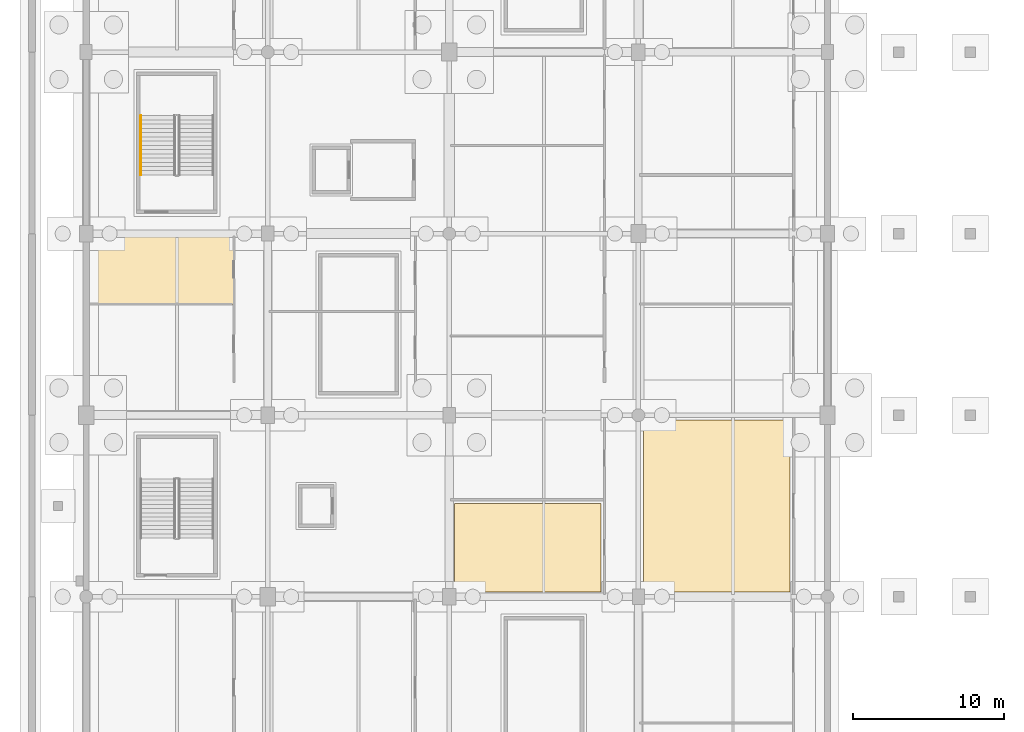
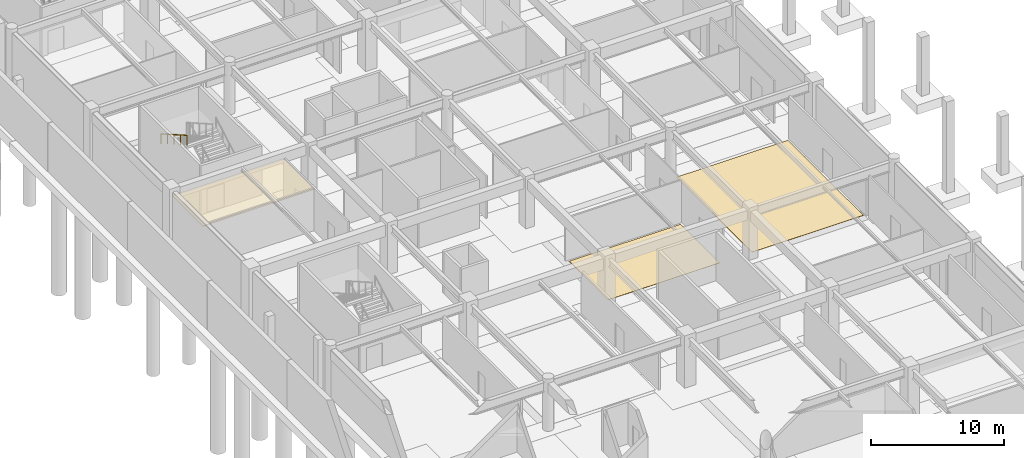
# One storey, part 48 of 56: 3 coverings, 1 railing.
"""IFC4 building model written with IfcOpenShell, lengths in metres."""

from ifc_helpers import new_model, si_unit, direction, frame, origin, origin_2d, place, context, subcontext, project, spatial, polyline, circle, outline, extrude, material, layer, layer_set, type_object, element, save


model = new_model("IFC4")

# Units and contexts
model_context = context("Model", 3, precision=1e-05, world=origin(), true_north=direction((0.0, 1.0)))
body_context = subcontext(model_context, "Body", "Model", "MODEL_VIEW")
ifc_project = project(units=[si_unit("LENGTHUNIT", "METRE"), si_unit("AREAUNIT", "SQUARE_METRE"), si_unit("VOLUMEUNIT", "CUBIC_METRE"), si_unit("PLANEANGLEUNIT", "RADIAN"), si_unit("MASSUNIT", "GRAM", prefix="KILO")], contexts=[model_context])

# Site, building, storey
site_placement = place(None, origin())
site = spatial("IfcSite", under=ifc_project, at=site_placement, CompositionType="ELEMENT")
building_placement = place(site_placement, origin())
building = spatial("IfcBuilding", under=site, at=building_placement, Name="Kazenohara Klinker Stadium", CompositionType="ELEMENT")
storey_placement = place(building_placement, frame((0.0, 0.0, -4.800048828125)))
storey = spatial("IfcBuildingStorey", under=building, at=storey_placement, Name="B01", CompositionType="ELEMENT", Elevation=-4.800048828125)

# Coverings
ifc_material_1 = material(Name="Slatted Hokkaido cedar acoustic baffle ceiling", Category="wood")
ifc_layer_1 = layer(ifc_material_1, 0.0400390625)
ifc_layer_set_1 = layer_set([ifc_layer_1], Name="Slatted Hokkaido cedar acoustic baffle ceiling")
covering_type_1 = type_object("IfcCoveringType", Name="COV-CEIL-02", PredefinedType="CEILING", material=ifc_layer_set_1)
covering_1_placement = place(storey_placement, frame((0.0, 0.0, 3.739990234375)))
element("IfcCovering", 1, at=covering_1_placement, inside=storey, type_object=covering_type_1, Name="Suspended acoustic ceiling CL02 Match Officials Dressing Room B01-0008B", PredefinedType="CEILING", context=body_context, shape_type="SweptSolid", body=[
    extrude(outline(polyline([(0.06005859375, 103.303466796875), (9.7900390625, 103.303466796875), (9.7900390625, 107.9599609375), (0.06005859375, 107.9599609375), (0.06005859375, 103.303466796875)])), origin(), (0.0, 0.0, 1.0), 0.0400390625),
])
ifc_material_2 = material(Name="Slip-resistant honed basalt terrazzo flooring", Category="masonry")
ifc_layer_2 = layer(ifc_material_2, 0.02001953125)
ifc_layer_set_2 = layer_set([ifc_layer_2], Name="Slip-resistant honed basalt terrazzo flooring")
covering_type_2 = type_object("IfcCoveringType", Name="COV-FLR-01", PredefinedType="FLOORING", material=ifc_layer_set_2)
covering_2_placement = place(storey_placement, origin())
element("IfcCovering", 2, at=covering_2_placement, inside=storey, type_object=covering_type_2, Name="Interior floor finish FL01 Sports Hydrotherapy Recovery Clinic B01-0207A", PredefinedType="FLOORING", context=body_context, shape_type="SweptSolid", body=[
    extrude(outline(polyline([(24.330078125, 84.31005859375), (34.02001953125, 84.31005859375), (34.02001953125, 90.1787109375), (24.330078125, 90.1787109375), (24.330078125, 84.31005859375)])), origin(), (0.0, 0.0, 1.0), 0.02001953125),
])
covering_3_placement = place(storey_placement, origin())
element("IfcCovering", 3, at=covering_3_placement, inside=storey, type_object=covering_type_2, Name="Interior floor finish FL01 Visiting-Club Athlete Changing Room B01-0307A", PredefinedType="FLOORING", context=body_context, shape_type="SweptSolid", body=[
    extrude(outline(polyline([(36.830078125, 84.31005859375), (46.52001953125, 84.31005859375), (46.52001953125, 95.68994140625), (36.830078125, 95.68994140625), (36.830078125, 84.31005859375)])), origin(), (0.0, 0.0, 1.0), 0.02001953125),
])

# Railing
ifc_material_3 = material(Name="Brushed stainless steel 304 handrail", Category="steel")
ifc_layer_3 = layer(ifc_material_3, 0.050048828125)
ifc_layer_set_3 = layer_set([ifc_layer_3], Name="Brushed stainless steel 304 handrail")
railing_type = type_object("IfcRailingType", Name="RL-HND-900", PredefinedType="HANDRAIL", material=ifc_layer_set_3)
railing_placement = place(storey_placement, frame((3.610107421875, 115.800048828125, 2.56005859375)))
element("IfcRailing", 4, at=railing_placement, inside=storey, type_object=railing_type, Name="B01 ST04 stair handrail 2", PredefinedType="HANDRAIL", context=body_context, shape_type="SweptSolid", body=[
    extrude(circle(Radius=0.02392578125, at=origin_2d()), frame((0.0, 0.0, 0.8759765625), z_axis=(0.0, -0.86825312469, 0.496121468458), x_axis=(1.0, 0.0, 0.0)), (0.0, 0.0, 1.0), 4.514892578125),
    extrude(circle(Radius=0.02099609375, at=origin_2d()), origin(), (0.0, 0.0, 1.0), 0.851806640625),
    extrude(circle(Radius=0.02099609375, at=origin_2d()), frame((0.0, -0.97998046875, 0.56005859375)), (0.0, 0.0, 1.0), 0.851806640625),
    extrude(circle(Radius=0.02099609375, at=origin_2d()), frame((0.0, -1.9599609375, 1.1201171875)), (0.0, 0.0, 1.0), 0.851806640625),
    extrude(circle(Radius=0.02099609375, at=origin_2d()), frame((0.0, -2.940185546875, 1.679931640625)), (0.0, 0.0, 1.0), 0.851806640625),
    extrude(circle(Radius=0.02099609375, at=origin_2d()), frame((0.0, -3.920166015625, 2.239990234375)), (0.0, 0.0, 1.0), 0.851806640625),
])

save(model, "model.ifc")
